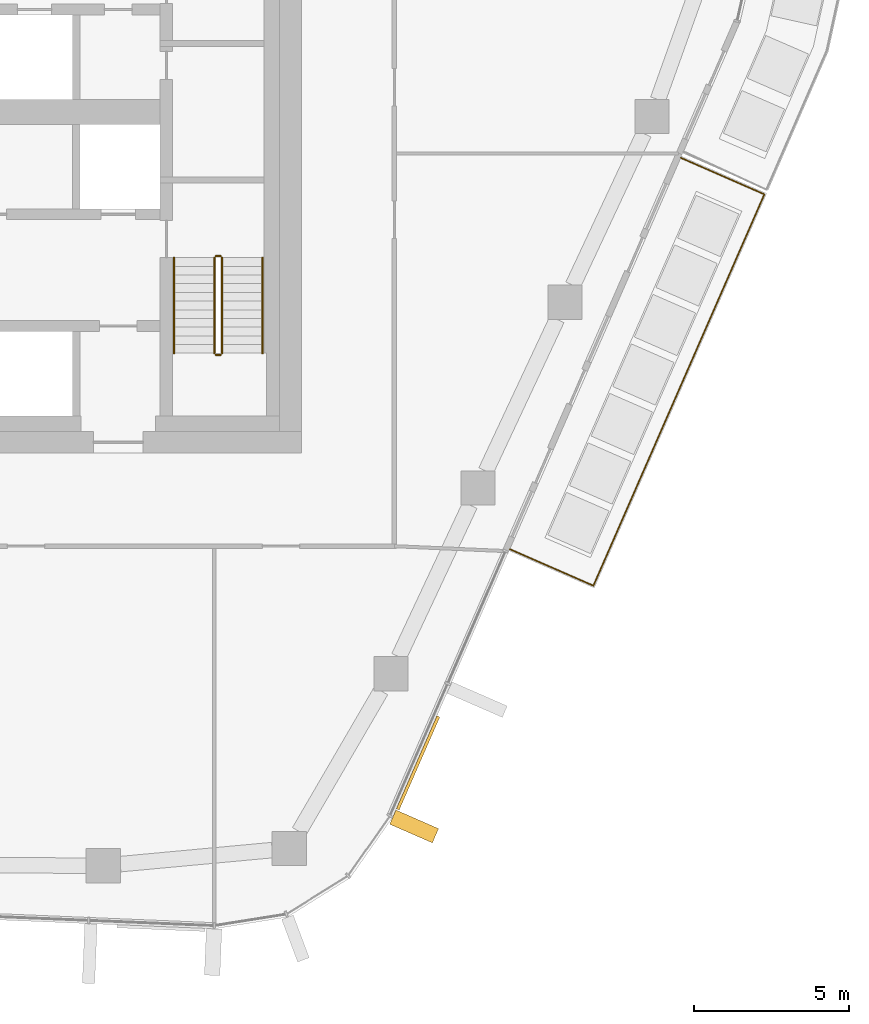
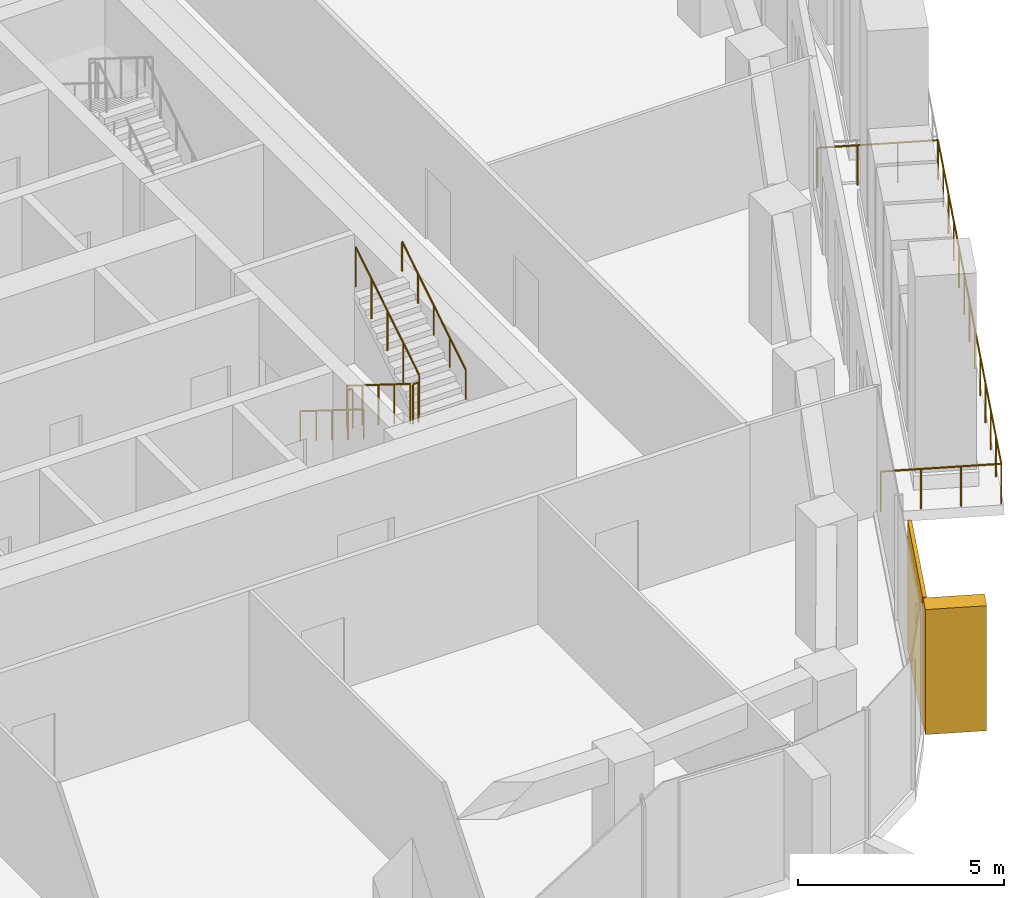
# One storey, part 17 of 20: 7 railings, 2 coverings, 1 element without a shape of its own.
"""IFC4 building model written with IfcOpenShell, lengths in metres."""

from ifc_helpers import new_model, si_unit, direction, frame, origin, origin_2d, place, context, subcontext, project, spatial, rectangle, circle, extrude, material, layer, layer_set, material_profile, profile_set, type_object, element, aggregate, save


model = new_model("IFC4")

# Units and contexts
model_context = context("Model", 3, precision=1e-05, world=origin(), true_north=direction((0.0, 1.0)))
body_context = subcontext(model_context, "Body", "Model", "MODEL_VIEW")
ifc_project = project(units=[si_unit("LENGTHUNIT", "METRE"), si_unit("AREAUNIT", "SQUARE_METRE"), si_unit("VOLUMEUNIT", "CUBIC_METRE"), si_unit("PLANEANGLEUNIT", "RADIAN"), si_unit("MASSUNIT", "GRAM", prefix="KILO")], contexts=[model_context])

# Site, building, storey
site_placement = place(None, origin())
site = spatial("IfcSite", under=ifc_project, at=site_placement, CompositionType="ELEMENT")
building_placement = place(site_placement, origin())
building = spatial("IfcBuilding", under=site, at=building_placement, Name="Dongbaek Canopy Tower", CompositionType="ELEMENT")
storey_placement = place(building_placement, frame((0.0, 0.0, 249.60009765625)))
storey = spatial("IfcBuildingStorey", under=building, at=storey_placement, Name="L52", CompositionType="ELEMENT", Elevation=249.60009765625)

# Railing
ifc_material_1 = material(Name="Stainless steel", Category="steel")
railing_type_1 = type_object("IfcRailingType", Name="Balcony balustrade 1200", PredefinedType="BALUSTRADE", material=ifc_material_1)
railing_1_placement = place(storey_placement, frame((20.7236328125, -14.096923828125, 0.0)))
element("IfcRailing", 1, at=railing_1_placement, inside=storey, type_object=railing_type_1, Name="Balcony guard L52 5", PredefinedType="BALUSTRADE", context=body_context, shape_type="SweptSolid", body=[
    extrude(circle(Radius=0.02392578125, at=origin_2d()), frame((0.0, 0.0, 1.17578125), z_axis=(0.916378260197, -0.400313482458, 0.0), x_axis=(0.400313482458, 0.916378260197, 0.0)), (0.0, 0.0, 1.0), 2.940185546875),
    extrude(circle(Radius=0.02392578125, at=origin_2d()), frame((2.6943359375, -1.177001953125, 1.17578125), z_axis=(0.400292212899, 0.916387551363, 0.0), x_axis=(-0.916387551363, 0.400292212899, 0.0)), (0.0, 0.0, 1.0), 13.766845703125),
    extrude(circle(Radius=0.02392578125, at=origin_2d()), frame((8.205078125, 11.438720703125, 1.17578125), z_axis=(-0.91640871913, 0.40024375011, 0.0), x_axis=(-0.40024375011, -0.91640871913, 0.0)), (0.0, 0.0, 1.0), 2.940185546875),
    extrude(circle(Radius=0.02099609375, at=origin_2d()), origin(), (0.0, 0.0, 1.0), 1.15185546875),
    extrude(circle(Radius=0.02099609375, at=origin_2d()), frame((0.898193359375, -0.392333984375, 0.0)), (0.0, 0.0, 1.0), 1.15185546875),
    extrude(circle(Radius=0.02099609375, at=origin_2d()), frame((1.796142578125, -0.78466796875, 0.0)), (0.0, 0.0, 1.0), 1.15185546875),
    extrude(circle(Radius=0.02099609375, at=origin_2d()), frame((2.6943359375, -1.177001953125, 0.0)), (0.0, 0.0, 1.0), 1.15185546875),
    extrude(circle(Radius=0.02099609375, at=origin_2d()), frame((3.153564453125, -0.125732421875, 0.0)), (0.0, 0.0, 1.0), 1.15185546875),
    extrude(circle(Radius=0.02099609375, at=origin_2d()), frame((3.61279296875, 0.925537109375, 0.0)), (0.0, 0.0, 1.0), 1.15185546875),
    extrude(circle(Radius=0.02099609375, at=origin_2d()), frame((4.072021484375, 1.97705078125, 0.0)), (0.0, 0.0, 1.0), 1.15185546875),
    extrude(circle(Radius=0.02099609375, at=origin_2d()), frame((4.53125, 3.0283203125, 0.0)), (0.0, 0.0, 1.0), 1.15185546875),
    extrude(circle(Radius=0.02099609375, at=origin_2d()), frame((4.990478515625, 4.07958984375, 0.0)), (0.0, 0.0, 1.0), 1.15185546875),
    extrude(circle(Radius=0.02099609375, at=origin_2d()), frame((5.44970703125, 5.130859375, 0.0)), (0.0, 0.0, 1.0), 1.15185546875),
    extrude(circle(Radius=0.02099609375, at=origin_2d()), frame((5.908935546875, 6.18212890625, 0.0)), (0.0, 0.0, 1.0), 1.15185546875),
    extrude(circle(Radius=0.02099609375, at=origin_2d()), frame((6.3681640625, 7.2333984375, 0.0)), (0.0, 0.0, 1.0), 1.15185546875),
    extrude(circle(Radius=0.02099609375, at=origin_2d()), frame((6.827392578125, 8.28466796875, 0.0)), (0.0, 0.0, 1.0), 1.15185546875),
    extrude(circle(Radius=0.02099609375, at=origin_2d()), frame((7.28662109375, 9.336181640625, 0.0)), (0.0, 0.0, 1.0), 1.15185546875),
    extrude(circle(Radius=0.02099609375, at=origin_2d()), frame((7.745849609375, 10.387451171875, 0.0)), (0.0, 0.0, 1.0), 1.15185546875),
    extrude(circle(Radius=0.02099609375, at=origin_2d()), frame((8.205078125, 11.438720703125, 0.0)), (0.0, 0.0, 1.0), 1.15185546875),
    extrude(circle(Radius=0.02099609375, at=origin_2d()), frame((7.306884765625, 11.8310546875, 0.0)), (0.0, 0.0, 1.0), 1.15185546875),
    extrude(circle(Radius=0.02099609375, at=origin_2d()), frame((6.408935546875, 12.22314453125, 0.0)), (0.0, 0.0, 1.0), 1.15185546875),
    extrude(circle(Radius=0.02099609375, at=origin_2d()), frame((5.5107421875, 12.615478515625, 0.0)), (0.0, 0.0, 1.0), 1.15185546875),
])

# Curtain wall, coverings
ifc_material_2 = material(Name="Aluminium 6063-T6 pale anodised", Category="aluminium")
ifc_layer_1 = layer(ifc_material_2, 0.199951171875)
ifc_layer_set_1 = layer_set([ifc_layer_1], Name="CW-1 unitised tower curtain wall")
curtain_wall_type = type_object("IfcCurtainWallType", Name="CW-1 unitised tower curtain wall", PredefinedType="NOTDEFINED", material=ifc_layer_set_1)
curtain_wall_placement = place(storey_placement, origin())
curtain_wall = element("IfcCurtainWall", 2, at=curtain_wall_placement, inside=storey, type_object=curtain_wall_type, Name="CW-1 curtain wall F5.1", PredefinedType="NOTDEFINED")
ifc_material_3 = material(Name="Perforated aluminium 6063-T6 pale metal screen", Category="aluminium")
ifc_layer_2 = layer(ifc_material_3, 0.10009765625)
ifc_layer_set_2 = layer_set([ifc_layer_2], Name="Facet screen FS1 100 pale metal")
covering_type_1 = type_object("IfcCoveringType", Name="Facet screen FS1 100 pale metal", PredefinedType="CLADDING", material=ifc_layer_set_2)
covering_1_placement = place(storey_placement, frame((17.764404296875, -20.986572265625, 0.0), z_axis=(0.0, 0.0, 1.0), x_axis=(0.400294653793, 0.916386485139, 0.0)))
covering_1 = element("IfcCovering", 3, at=covering_1_placement, type_object=covering_type_1, Name="Facet screen L52 F5", PredefinedType="CLADDING", context=body_context, shape_type="SweptSolid", body=[
    extrude(rectangle(XDim=3.27294921875, YDim=0.10009765625, at=origin_2d()), origin(), (0.0, 0.0, 1.0), 3.820068359375),
])
ifc_material_4 = material(Name="Aluminium 6063-T6 pale metal fin", Category="aluminium")
ifc_material_profile = material_profile(ifc_material_4, rectangle(XDim=1.5, YDim=0.5, at=origin_2d()), Name="Fin FN1 500 x 1500 pale metal")
ifc_profile_set = profile_set([ifc_material_profile], Name="Aluminium 6063-T6 pale metal fin")
covering_type_2 = type_object("IfcCoveringType", Name="Fin FN1 500 x 1500 pale metal", PredefinedType="CLADDING", material=ifc_profile_set)
covering_2_placement = place(storey_placement, frame((17.638427734375, -23.03369140625, 0.119873046875), z_axis=(0.0, 0.0, 1.0), x_axis=(0.9163861515, -0.400295417584, 0.0)))
covering_2 = element("IfcCovering", 4, at=covering_2_placement, type_object=covering_type_2, Name="Fin F5.1.1", PredefinedType="CLADDING", context=body_context, shape_type="SweptSolid", body=[
    extrude(rectangle(XDim=1.5, YDim=0.5, at=origin_2d()), origin(), (0.0, 0.0, 1.0), 3.699951171875),
])
aggregate(curtain_wall, [covering_2, covering_1])

# Railings
ifc_material_5 = material(Name="Stainless steel tube and balusters", Category="steel")
railing_type_2 = type_object("IfcRailingType", Name="Stair guard 1200", PredefinedType="GUARDRAIL", material=ifc_material_5)
railing_2_placement = place(storey_placement, frame((11.199951171875, -4.699951171875, 0.1748046875)))
element("IfcRailing", 5, at=railing_2_placement, inside=storey, type_object=railing_type_2, Name="L52 ST-B stair guard 1", PredefinedType="GUARDRAIL", context=body_context, shape_type="SweptSolid", body=[
    extrude(circle(Radius=0.02392578125, at=origin_2d()), frame((0.0, 0.0, 1.17578125), z_axis=(0.0, -0.847998304005, 0.529998940003), x_axis=(1.0, 0.0, 0.0)), (0.0, 0.0, 1.0), 3.632080078125),
    extrude(circle(Radius=0.02099609375, at=origin_2d()), origin(), (0.0, 0.0, 1.0), 1.15185546875),
    extrude(circle(Radius=0.02099609375, at=origin_2d()), frame((0.0, -0.77001953125, 0.481201171875)), (0.0, 0.0, 1.0), 1.15185546875),
    extrude(circle(Radius=0.02099609375, at=origin_2d()), frame((0.0, -1.5400390625, 0.96240234375)), (0.0, 0.0, 1.0), 1.15185546875),
    extrude(circle(Radius=0.02099609375, at=origin_2d()), frame((0.0, -2.31005859375, 1.44384765625)), (0.0, 0.0, 1.0), 1.15185546875),
    extrude(circle(Radius=0.02099609375, at=origin_2d()), frame((0.0, -3.080078125, 1.925048828125)), (0.0, 0.0, 1.0), 1.15185546875),
])
railing_3_placement = place(storey_placement, frame((11.25, -7.830078125, 2.099853515625)))
element("IfcRailing", 6, at=railing_3_placement, inside=storey, type_object=railing_type_2, Name="L52 ST-B stair guard 2", PredefinedType="GUARDRAIL", context=body_context, shape_type="SweptSolid", body=[
    extrude(circle(Radius=0.02392578125, at=origin_2d()), frame((0.0, 0.0, 1.17578125), z_axis=(1.0, 0.0, 0.0), x_axis=(0.0, 1.0, 0.0)), (0.0, 0.0, 1.0), 0.14990234375),
    extrude(circle(Radius=0.02099609375, at=origin_2d()), origin(), (0.0, 0.0, 1.0), 1.15185546875),
    extrude(circle(Radius=0.02099609375, at=origin_2d()), frame((0.14990234375, 0.0, 0.0)), (0.0, 0.0, 1.0), 1.15185546875),
])
railing_4_placement = place(storey_placement, frame((11.449951171875, -7.780029296875, 2.27490234375)))
element("IfcRailing", 7, at=railing_4_placement, inside=storey, type_object=railing_type_2, Name="L52 ST-B stair guard 3", PredefinedType="GUARDRAIL", context=body_context, shape_type="SweptSolid", body=[
    extrude(circle(Radius=0.02392578125, at=origin_2d()), frame((0.0, 0.0, 1.17578125), z_axis=(0.0, 0.847998304005, 0.529998940003), x_axis=(-1.0, 0.0, 0.0)), (0.0, 0.0, 1.0), 3.632080078125),
    extrude(circle(Radius=0.02099609375, at=origin_2d()), origin(), (0.0, 0.0, 1.0), 1.15185546875),
    extrude(circle(Radius=0.02099609375, at=origin_2d()), frame((0.0, 0.77001953125, 0.481201171875)), (0.0, 0.0, 1.0), 1.15185546875),
    extrude(circle(Radius=0.02099609375, at=origin_2d()), frame((0.0, 1.5400390625, 0.96240234375)), (0.0, 0.0, 1.0), 1.15185546875),
    extrude(circle(Radius=0.02099609375, at=origin_2d()), frame((0.0, 2.31005859375, 1.44384765625)), (0.0, 0.0, 1.0), 1.15185546875),
    extrude(circle(Radius=0.02099609375, at=origin_2d()), frame((0.0, 3.080078125, 1.925048828125)), (0.0, 0.0, 1.0), 1.15185546875),
])
railing_5_placement = place(storey_placement, frame((11.25, -4.64990234375, 0.0)))
element("IfcRailing", 8, at=railing_5_placement, inside=storey, type_object=railing_type_2, Name="L52 ST-B stair guard 4", PredefinedType="GUARDRAIL", context=body_context, shape_type="SweptSolid", body=[
    extrude(circle(Radius=0.02392578125, at=origin_2d()), frame((0.0, 0.0, 1.17578125), z_axis=(1.0, 0.0, 0.0), x_axis=(0.0, 1.0, 0.0)), (0.0, 0.0, 1.0), 0.14990234375),
    extrude(circle(Radius=0.02099609375, at=origin_2d()), origin(), (0.0, 0.0, 1.0), 1.15185546875),
    extrude(circle(Radius=0.02099609375, at=origin_2d()), frame((0.14990234375, 0.0, 0.0)), (0.0, 0.0, 1.0), 1.15185546875),
])
ifc_material_6 = material(Name="Stainless steel tube", Category="steel")
railing_type_3 = type_object("IfcRailingType", Name="Stair handrail 900", PredefinedType="HANDRAIL", material=ifc_material_6)
railing_6_placement = place(storey_placement, frame((9.89990234375, -4.699951171875, 0.1748046875)))
element("IfcRailing", 9, at=railing_6_placement, inside=storey, type_object=railing_type_3, Name="L52 ST-B stair handrail 1", PredefinedType="HANDRAIL", context=body_context, shape_type="SweptSolid", body=[
    extrude(circle(Radius=0.02392578125, at=origin_2d()), frame((0.0, 0.0, 0.8759765625), z_axis=(0.0, -0.847998304005, 0.529998940003), x_axis=(1.0, 0.0, 0.0)), (0.0, 0.0, 1.0), 3.632080078125),
    extrude(circle(Radius=0.02099609375, at=origin_2d()), origin(), (0.0, 0.0, 1.0), 0.851806640625),
    extrude(circle(Radius=0.02099609375, at=origin_2d()), frame((0.0, -0.77001953125, 0.481201171875)), (0.0, 0.0, 1.0), 0.851806640625),
    extrude(circle(Radius=0.02099609375, at=origin_2d()), frame((0.0, -1.5400390625, 0.96240234375)), (0.0, 0.0, 1.0), 0.851806640625),
    extrude(circle(Radius=0.02099609375, at=origin_2d()), frame((0.0, -2.31005859375, 1.44384765625)), (0.0, 0.0, 1.0), 0.851806640625),
    extrude(circle(Radius=0.02099609375, at=origin_2d()), frame((0.0, -3.080078125, 1.925048828125)), (0.0, 0.0, 1.0), 0.851806640625),
])
railing_7_placement = place(storey_placement, frame((12.75, -7.780029296875, 2.27490234375)))
element("IfcRailing", 10, at=railing_7_placement, inside=storey, type_object=railing_type_3, Name="L52 ST-B stair handrail 2", PredefinedType="HANDRAIL", context=body_context, shape_type="SweptSolid", body=[
    extrude(circle(Radius=0.02392578125, at=origin_2d()), frame((0.0, 0.0, 0.8759765625), z_axis=(0.0, 0.847998304005, 0.529998940003), x_axis=(-1.0, 0.0, 0.0)), (0.0, 0.0, 1.0), 3.632080078125),
    extrude(circle(Radius=0.02099609375, at=origin_2d()), origin(), (0.0, 0.0, 1.0), 0.851806640625),
    extrude(circle(Radius=0.02099609375, at=origin_2d()), frame((0.0, 0.77001953125, 0.481201171875)), (0.0, 0.0, 1.0), 0.851806640625),
    extrude(circle(Radius=0.02099609375, at=origin_2d()), frame((0.0, 1.5400390625, 0.96240234375)), (0.0, 0.0, 1.0), 0.851806640625),
    extrude(circle(Radius=0.02099609375, at=origin_2d()), frame((0.0, 2.31005859375, 1.44384765625)), (0.0, 0.0, 1.0), 0.851806640625),
    extrude(circle(Radius=0.02099609375, at=origin_2d()), frame((0.0, 3.080078125, 1.925048828125)), (0.0, 0.0, 1.0), 0.851806640625),
])

save(model, "model.ifc")
